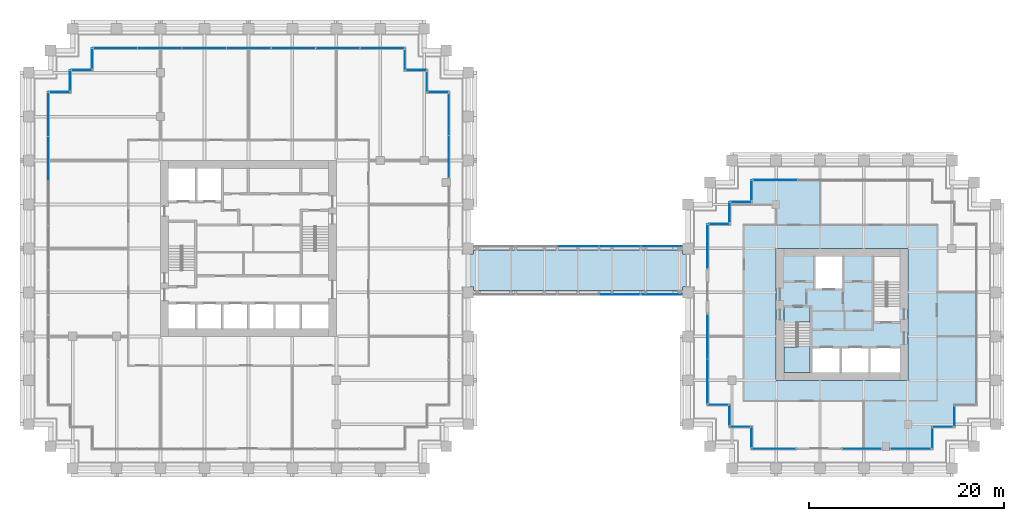
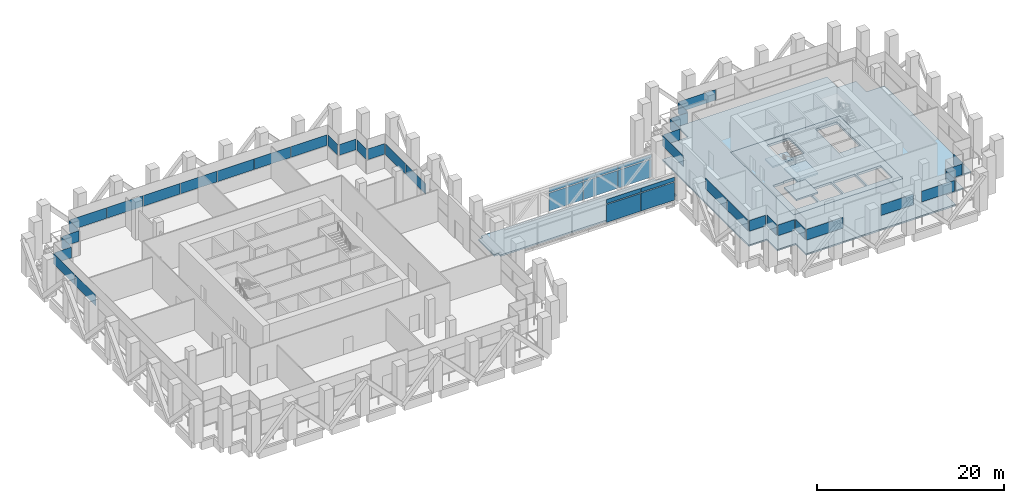
# One storey, part 35 of 44: 47 plates, 6 slabs, 31 elements without a shape of their own.
"""IFC4 building model written with IfcOpenShell, lengths in metres."""

from ifc_helpers import new_model, si_unit, direction, frame, origin, origin_2d, place, context, subcontext, project, spatial, polyline, rectangle, outline, extrude, material, layer, layer_set, type_object, element, aggregate, save


model = new_model("IFC4")

# Units and contexts
model_context = context("Model", 3, precision=1e-05, world=origin(), true_north=direction((0.0, 1.0)))
body_context = subcontext(model_context, "Body", "Model", "MODEL_VIEW")
ifc_project = project(units=[si_unit("LENGTHUNIT", "METRE"), si_unit("AREAUNIT", "SQUARE_METRE"), si_unit("VOLUMEUNIT", "CUBIC_METRE"), si_unit("PLANEANGLEUNIT", "RADIAN"), si_unit("MASSUNIT", "GRAM", prefix="KILO")], contexts=[model_context])

# Site, building, storey
site_placement = place(None, origin())
site = spatial("IfcSite", under=ifc_project, at=site_placement, CompositionType="ELEMENT")
building_placement = place(site_placement, origin())
building = spatial("IfcBuilding", under=site, at=building_placement, Name="Altepetl Exchange Towers", CompositionType="ELEMENT")
storey_placement = place(building_placement, frame((0.0, 0.0, 87.0)))
storey = spatial("IfcBuildingStorey", under=building, at=storey_placement, Name="L21 Refuge", CompositionType="ELEMENT", Elevation=87.0)

# Slabs
ifc_material_1 = material(Name="Concrete C40/50", Category="concrete")
ifc_layer_1 = layer(ifc_material_1, 0.199951171875)
ifc_layer_set_1 = layer_set([ifc_layer_1], Name="Concrete C40/50")
slab_type_1 = type_object("IfcSlabType", Name="Bridge deck slab 200", PredefinedType="FLOOR", material=ifc_layer_set_1)
slab_1_placement = place(storey_placement, frame((0.0, 0.0, -0.199951171875)))
element("IfcSlab", 1, at=slab_1_placement, inside=storey, type_object=slab_type_1, Name="slab:X:L21:deck0", PredefinedType="FLOOR", context=body_context, shape_type="SweptSolid", body=[
    extrude(outline(polyline([(93.949951171875, 45.550048828125), (94.5, 45.550048828125), (94.5, 48.949951171875), (93.949951171875, 48.949951171875), (93.949951171875, 49.322021484375), (72.550048828125, 49.322021484375), (72.550048828125, 48.949951171875), (72.0, 48.949951171875), (72.0, 45.550048828125), (72.550048828125, 45.550048828125), (72.550048828125, 45.177978515625), (93.949951171875, 45.177978515625), (93.949951171875, 45.550048828125)])), origin(), (0.0, 0.0, 1.0), 0.199951171875),
])
ifc_layer_2 = layer(ifc_material_1, 0.199951171875)
ifc_layer_set_2 = layer_set([ifc_layer_2], Name="Concrete C40/50")
slab_type_2 = type_object("IfcSlabType", Name="Composite floor slab 200", PredefinedType="FLOOR", material=ifc_layer_set_2)
slab_2_placement = place(storey_placement, frame((0.0, 0.0, -0.199951171875)))
element("IfcSlab", 2, at=slab_2_placement, inside=storey, type_object=slab_type_2, Name="slab:B:L21:strip0", PredefinedType="FLOOR", context=body_context, shape_type="SweptSolid", body=[
    extrude(outline(polyline([(98.75, 54.25), (98.75, 52.0), (96.5, 52.0), (96.5, 33.5), (98.75, 33.5), (98.75, 31.25), (101.0, 31.25), (101.0, 29.0), (119.5, 29.0), (119.5, 31.25), (121.75, 31.25), (121.75, 33.5), (124.0, 33.5), (124.0, 52.0), (121.75, 52.0), (121.75, 54.25), (119.5, 54.25), (119.5, 56.5), (101.0, 56.5), (101.0, 54.25), (98.75, 54.25)]), holes=[polyline([(117.0, 49.5), (117.0, 36.0), (103.5, 36.0), (103.5, 49.5), (117.0, 49.5)])]), origin(), (0.0, 0.0, 1.0), 0.199951171875),
])
ifc_layer_3 = layer(ifc_material_1, 0.300048828125)
ifc_layer_set_3 = layer_set([ifc_layer_3], Name="Concrete C40/50")
slab_type_3 = type_object("IfcSlabType", Name="Core floor slab 300", PredefinedType="FLOOR", material=ifc_layer_set_3)
slab_3_placement = place(storey_placement, frame((0.0, 0.0, -0.300048828125)))
element("IfcSlab", 3, at=slab_3_placement, inside=storey, type_object=slab_type_3, Name="slab:B:L21:core0", PredefinedType="FLOOR", context=body_context, shape_type="SweptSolid", body=[
    extrude(outline(polyline([(103.5, 36.0), (117.0, 36.0), (117.0, 49.5), (103.5, 49.5), (103.5, 36.0)]), holes=[polyline([(107.199951171875, 36.800048828125), (107.199951171875, 39.300048828125), (110.032958984375, 39.300048828125), (110.032958984375, 36.800048828125), (107.199951171875, 36.800048828125)]), polyline([(110.23291015625, 39.300048828125), (112.967041015625, 39.300048828125), (112.967041015625, 36.800048828125), (110.23291015625, 36.800048828125), (110.23291015625, 39.300048828125)]), polyline([(113.1669921875, 39.300048828125), (116.199951171875, 39.300048828125), (116.199951171875, 36.800048828125), (113.1669921875, 36.800048828125), (113.1669921875, 39.300048828125)]), polyline([(107.0, 36.800048828125), (104.300048828125, 36.800048828125), (104.300048828125, 41.85009765625), (105.60009765625, 41.85009765625), (105.60009765625, 41.948974609375), (107.0, 41.948974609375), (107.0, 36.800048828125)]), polyline([(116.199951171875, 48.699951171875), (116.199951171875, 43.64990234375), (114.89990234375, 43.64990234375), (114.89990234375, 43.551025390625), (113.5, 43.551025390625), (113.5, 48.699951171875), (116.199951171875, 48.699951171875)]), polyline([(107.532958984375, 48.699951171875), (110.26708984375, 48.699951171875), (110.26708984375, 45.39990234375), (107.532958984375, 45.39990234375), (107.532958984375, 48.699951171875)])]), origin(), (0.0, 0.0, 1.0), 0.300048828125),
])

# Curtain wall, plates
ifc_material_2 = material(Name="Aluminium 6063-T6 glazing", Category="aluminium")
curtain_wall_type_1 = type_object("IfcCurtainWallType", Name="Bridge enclosure system", PredefinedType="NOTDEFINED", material=ifc_material_2)
curtain_wall_1_placement = place(storey_placement, origin())
curtain_wall_1 = element("IfcCurtainWall", 4, at=curtain_wall_1_placement, inside=storey, type_object=curtain_wall_type_1, Name="CW6 run", PredefinedType="NOTDEFINED")
ifc_material_3 = material(Name="Glass 6-16-6 low emissivity", Category="glass")
ifc_layer_4 = layer(ifc_material_3, 0.028076171875)
ifc_layer_set_4 = layer_set([ifc_layer_4], Name="Glass 6-16-6 low emissivity")
plate_type_1 = type_object("IfcPlateType", Name="Glass panel 28 double glazed", PredefinedType="CURTAIN_PANEL", material=ifc_layer_set_4)
plate_1_placement = place(storey_placement, frame((87.510009765625, 44.784912109375, 0.0)))
plate_1 = element("IfcPlate", 5, at=plate_1_placement, type_object=plate_type_1, Name="GP1 panel", PredefinedType="CURTAIN_PANEL", context=body_context, shape_type="SweptSolid", body=[
    extrude(rectangle(XDim=4.199951171875, YDim=0.028076171875, at=origin_2d()), origin(), (0.0, 0.0, 1.0), 2.340087890625),
])
plate_2_placement = place(storey_placement, frame((87.510009765625, 44.784912109375, 2.4599609375)))
plate_2 = element("IfcPlate", 6, at=plate_2_placement, type_object=plate_type_1, Name="GP1 panel", PredefinedType="CURTAIN_PANEL", context=body_context, shape_type="SweptSolid", body=[
    extrude(rectangle(XDim=4.199951171875, YDim=0.028076171875, at=origin_2d()), origin(), (0.0, 0.0, 1.0), 0.5400390625),
])
plate_3_placement = place(storey_placement, frame((91.7548828125, 44.784912109375, 0.0)))
plate_3 = element("IfcPlate", 7, at=plate_3_placement, type_object=plate_type_1, Name="GP1 panel", PredefinedType="CURTAIN_PANEL", context=body_context, shape_type="SweptSolid", body=[
    extrude(rectangle(XDim=4.169921875, YDim=0.028076171875, at=origin_2d()), origin(), (0.0, 0.0, 1.0), 2.340087890625),
])
plate_4_placement = place(storey_placement, frame((91.7548828125, 44.784912109375, 2.4599609375)))
plate_4 = element("IfcPlate", 8, at=plate_4_placement, type_object=plate_type_1, Name="GP1 panel", PredefinedType="CURTAIN_PANEL", context=body_context, shape_type="SweptSolid", body=[
    extrude(rectangle(XDim=4.169921875, YDim=0.028076171875, at=origin_2d()), origin(), (0.0, 0.0, 1.0), 0.5400390625),
])
aggregate(curtain_wall_1, [plate_1, plate_2, plate_3, plate_4])

curtain_wall_2_placement = place(storey_placement, origin())
curtain_wall_2 = element("IfcCurtainWall", 9, at=curtain_wall_2_placement, inside=storey, type_object=curtain_wall_type_1, Name="CW6 run", PredefinedType="NOTDEFINED")
plate_5_placement = place(storey_placement, frame((83.25, 49.715087890625, 0.0)))
plate_5 = element("IfcPlate", 10, at=plate_5_placement, type_object=plate_type_1, Name="GP1 panel", PredefinedType="CURTAIN_PANEL", context=body_context, shape_type="SweptSolid", body=[
    extrude(rectangle(XDim=4.199951171875, YDim=0.028076171875, at=origin_2d()), origin(), (0.0, 0.0, 1.0), 2.340087890625),
])
plate_6_placement = place(storey_placement, frame((83.25, 49.715087890625, 2.4599609375)))
plate_6 = element("IfcPlate", 11, at=plate_6_placement, type_object=plate_type_1, Name="GP1 panel", PredefinedType="CURTAIN_PANEL", context=body_context, shape_type="SweptSolid", body=[
    extrude(rectangle(XDim=4.199951171875, YDim=0.028076171875, at=origin_2d()), origin(), (0.0, 0.0, 1.0), 0.5400390625),
])
plate_7_placement = place(storey_placement, frame((87.510009765625, 49.715087890625, 0.0)))
plate_7 = element("IfcPlate", 12, at=plate_7_placement, type_object=plate_type_1, Name="GP1 panel", PredefinedType="CURTAIN_PANEL", context=body_context, shape_type="SweptSolid", body=[
    extrude(rectangle(XDim=4.199951171875, YDim=0.028076171875, at=origin_2d()), origin(), (0.0, 0.0, 1.0), 2.340087890625),
])
plate_8_placement = place(storey_placement, frame((87.510009765625, 49.715087890625, 2.4599609375)))
plate_8 = element("IfcPlate", 13, at=plate_8_placement, type_object=plate_type_1, Name="GP1 panel", PredefinedType="CURTAIN_PANEL", context=body_context, shape_type="SweptSolid", body=[
    extrude(rectangle(XDim=4.199951171875, YDim=0.028076171875, at=origin_2d()), origin(), (0.0, 0.0, 1.0), 0.5400390625),
])
plate_9_placement = place(storey_placement, frame((91.7548828125, 49.715087890625, 0.0)))
plate_9 = element("IfcPlate", 14, at=plate_9_placement, type_object=plate_type_1, Name="GP1 panel", PredefinedType="CURTAIN_PANEL", context=body_context, shape_type="SweptSolid", body=[
    extrude(rectangle(XDim=4.169921875, YDim=0.028076171875, at=origin_2d()), origin(), (0.0, 0.0, 1.0), 2.340087890625),
])
plate_10_placement = place(storey_placement, frame((91.7548828125, 49.715087890625, 2.4599609375)))
plate_10 = element("IfcPlate", 15, at=plate_10_placement, type_object=plate_type_1, Name="GP1 panel", PredefinedType="CURTAIN_PANEL", context=body_context, shape_type="SweptSolid", body=[
    extrude(rectangle(XDim=4.169921875, YDim=0.028076171875, at=origin_2d()), origin(), (0.0, 0.0, 1.0), 0.5400390625),
])
aggregate(curtain_wall_2, [plate_5, plate_6, plate_7, plate_8, plate_9, plate_10])

# Curtain wall, plate
curtain_wall_type_2 = type_object("IfcCurtainWallType", Name="Refuge slit glazing system", PredefinedType="NOTDEFINED", material=ifc_material_2)
curtain_wall_3_placement = place(storey_placement, origin())
curtain_wall_3 = element("IfcCurtainWall", 16, at=curtain_wall_3_placement, inside=storey, type_object=curtain_wall_type_2, Name="CW3 run", PredefinedType="NOTDEFINED")
ifc_material_4 = material(Name="Glass 8-20-8 solar control", Category="glass")
ifc_layer_5 = layer(ifc_material_4, 0.035888671875)
ifc_layer_set_5 = layer_set([ifc_layer_5], Name="Glass 8-20-8 solar control")
plate_type_2 = type_object("IfcPlateType", Name="Glass panel 36 double glazed", PredefinedType="CURTAIN_PANEL", material=ifc_layer_set_5)
plate_11_placement = place(storey_placement, frame((30.175048828125, 65.5, 1.800048828125), z_axis=(0.0, 0.0, 1.0), x_axis=(-1.0, 0.0, 0.0)))
plate_11 = element("IfcPlate", 17, at=plate_11_placement, type_object=plate_type_2, Name="GP2 panel", PredefinedType="CURTAIN_PANEL", context=body_context, shape_type="SweptSolid", body=[
    extrude(rectangle(XDim=2.030029296875, YDim=0.035888671875, at=origin_2d()), origin(), (0.0, 0.0, 1.0), 1.39990234375),
])
aggregate(curtain_wall_3, [plate_11])

# Curtain wall, plates
curtain_wall_4_placement = place(storey_placement, origin())
curtain_wall_4 = element("IfcCurtainWall", 18, at=curtain_wall_4_placement, inside=storey, type_object=curtain_wall_type_2, Name="CW3 run", PredefinedType="NOTDEFINED")
plate_12_placement = place(storey_placement, frame((29.0, 63.20654296875, 1.800048828125), z_axis=(0.0, 0.0, 1.0), x_axis=(0.0, -1.0, 0.0)))
plate_12 = element("IfcPlate", 19, at=plate_12_placement, type_object=plate_type_2, Name="GP2 panel", PredefinedType="CURTAIN_PANEL", context=body_context, shape_type="SweptSolid", body=[
    extrude(rectangle(XDim=4.467041015625, YDim=0.035888671875, at=origin_2d()), origin(), (0.0, 0.0, 1.0), 1.39990234375),
])
plate_13_placement = place(storey_placement, frame((29.0, 58.664306640625, 1.800048828125), z_axis=(0.0, 0.0, 1.0), x_axis=(0.0, -1.0, 0.0)))
plate_13 = element("IfcPlate", 20, at=plate_13_placement, type_object=plate_type_2, Name="GP2 panel", PredefinedType="CURTAIN_PANEL", context=body_context, shape_type="SweptSolid", body=[
    extrude(rectangle(XDim=4.4970703125, YDim=0.035888671875, at=origin_2d()), origin(), (0.0, 0.0, 1.0), 1.39990234375),
])
aggregate(curtain_wall_4, [plate_12, plate_13])

curtain_wall_5_placement = place(storey_placement, origin())
curtain_wall_5 = element("IfcCurtainWall", 21, at=curtain_wall_5_placement, inside=storey, type_object=curtain_wall_type_2, Name="CW3 run", PredefinedType="NOTDEFINED")
plate_14_placement = place(storey_placement, frame((70.0, 58.88623046875, 1.800048828125), z_axis=(0.0, 0.0, 1.0), x_axis=(0.0, 1.0, 0.0)))
plate_14 = element("IfcPlate", 22, at=plate_14_placement, type_object=plate_type_2, Name="GP2 panel", PredefinedType="CURTAIN_PANEL", context=body_context, shape_type="SweptSolid", body=[
    extrude(rectangle(XDim=4.262451171875, YDim=0.035888671875, at=origin_2d()), origin(), (0.0, 0.0, 1.0), 1.39990234375),
])
plate_15_placement = place(storey_placement, frame((70.0, 63.208740234375, 1.800048828125), z_axis=(0.0, 0.0, 1.0), x_axis=(0.0, 1.0, 0.0)))
plate_15 = element("IfcPlate", 23, at=plate_15_placement, type_object=plate_type_2, Name="GP2 panel", PredefinedType="CURTAIN_PANEL", context=body_context, shape_type="SweptSolid", body=[
    extrude(rectangle(XDim=4.262451171875, YDim=0.035888671875, at=origin_2d()), origin(), (0.0, 0.0, 1.0), 1.39990234375),
])
aggregate(curtain_wall_5, [plate_14, plate_15])

# Curtain wall, plate
curtain_wall_6_placement = place(storey_placement, origin())
curtain_wall_6 = element("IfcCurtainWall", 24, at=curtain_wall_6_placement, inside=storey, type_object=curtain_wall_type_2, Name="CW3 run", PredefinedType="NOTDEFINED")
plate_16_placement = place(storey_placement, frame((68.925048828125, 65.5, 1.800048828125), z_axis=(0.0, 0.0, 1.0), x_axis=(-1.0, 0.0, 0.0)))
plate_16 = element("IfcPlate", 25, at=plate_16_placement, type_object=plate_type_2, Name="GP2 panel", PredefinedType="CURTAIN_PANEL", context=body_context, shape_type="SweptSolid", body=[
    extrude(rectangle(XDim=2.030029296875, YDim=0.035888671875, at=origin_2d()), origin(), (0.0, 0.0, 1.0), 1.39990234375),
])
aggregate(curtain_wall_6, [plate_16])

curtain_wall_7_placement = place(storey_placement, origin())
curtain_wall_7 = element("IfcCurtainWall", 26, at=curtain_wall_7_placement, inside=storey, type_object=curtain_wall_type_2, Name="CW3 run", PredefinedType="NOTDEFINED")
plate_17_placement = place(storey_placement, frame((67.75, 66.574951171875, 1.800048828125), z_axis=(0.0, 0.0, 1.0), x_axis=(0.0, 1.0, 0.0)))
plate_17 = element("IfcPlate", 27, at=plate_17_placement, type_object=plate_type_2, Name="GP2 panel", PredefinedType="CURTAIN_PANEL", context=body_context, shape_type="SweptSolid", body=[
    extrude(rectangle(XDim=2.030029296875, YDim=0.035888671875, at=origin_2d()), origin(), (0.0, 0.0, 1.0), 1.39990234375),
])
aggregate(curtain_wall_7, [plate_17])

curtain_wall_8_placement = place(storey_placement, origin())
curtain_wall_8 = element("IfcCurtainWall", 28, at=curtain_wall_8_placement, inside=storey, type_object=curtain_wall_type_2, Name="CW3 run", PredefinedType="NOTDEFINED")
plate_18_placement = place(storey_placement, frame((66.675048828125, 67.75, 1.800048828125), z_axis=(0.0, 0.0, 1.0), x_axis=(-1.0, 0.0, 0.0)))
plate_18 = element("IfcPlate", 29, at=plate_18_placement, type_object=plate_type_2, Name="GP2 panel", PredefinedType="CURTAIN_PANEL", context=body_context, shape_type="SweptSolid", body=[
    extrude(rectangle(XDim=2.030029296875, YDim=0.035888671875, at=origin_2d()), origin(), (0.0, 0.0, 1.0), 1.39990234375),
])
aggregate(curtain_wall_8, [plate_18])

curtain_wall_9_placement = place(storey_placement, origin())
curtain_wall_9 = element("IfcCurtainWall", 30, at=curtain_wall_9_placement, inside=storey, type_object=curtain_wall_type_2, Name="CW3 run", PredefinedType="NOTDEFINED")
plate_19_placement = place(storey_placement, frame((65.5, 68.824951171875, 1.800048828125), z_axis=(0.0, 0.0, 1.0), x_axis=(0.0, 1.0, 0.0)))
plate_19 = element("IfcPlate", 31, at=plate_19_placement, type_object=plate_type_2, Name="GP2 panel", PredefinedType="CURTAIN_PANEL", context=body_context, shape_type="SweptSolid", body=[
    extrude(rectangle(XDim=2.030029296875, YDim=0.035888671875, at=origin_2d()), origin(), (0.0, 0.0, 1.0), 1.39990234375),
])
aggregate(curtain_wall_9, [plate_19])

# Curtain wall, plates
curtain_wall_10_placement = place(storey_placement, origin())
curtain_wall_10 = element("IfcCurtainWall", 32, at=curtain_wall_10_placement, inside=storey, type_object=curtain_wall_type_2, Name="CW3 run", PredefinedType="NOTDEFINED")
plate_20_placement = place(storey_placement, frame((63.20654296875, 70.0, 1.800048828125), z_axis=(0.0, 0.0, 1.0), x_axis=(-1.0, 0.0, 0.0)))
plate_20 = element("IfcPlate", 33, at=plate_20_placement, type_object=plate_type_2, Name="GP2 panel", PredefinedType="CURTAIN_PANEL", context=body_context, shape_type="SweptSolid", body=[
    extrude(rectangle(XDim=4.467041015625, YDim=0.035888671875, at=origin_2d()), origin(), (0.0, 0.0, 1.0), 1.39990234375),
])
plate_21_placement = place(storey_placement, frame((58.664306640625, 70.0, 1.800048828125), z_axis=(0.0, 0.0, 1.0), x_axis=(-1.0, 0.0, 0.0)))
plate_21 = element("IfcPlate", 34, at=plate_21_placement, type_object=plate_type_2, Name="GP2 panel", PredefinedType="CURTAIN_PANEL", context=body_context, shape_type="SweptSolid", body=[
    extrude(rectangle(XDim=4.4970703125, YDim=0.035888671875, at=origin_2d()), origin(), (0.0, 0.0, 1.0), 1.39990234375),
])
plate_22_placement = place(storey_placement, frame((54.107177734375, 70.0, 1.800048828125), z_axis=(0.0, 0.0, 1.0), x_axis=(-1.0, 0.0, 0.0)))
plate_22 = element("IfcPlate", 35, at=plate_22_placement, type_object=plate_type_2, Name="GP2 panel", PredefinedType="CURTAIN_PANEL", context=body_context, shape_type="SweptSolid", body=[
    extrude(rectangle(XDim=4.4970703125, YDim=0.035888671875, at=origin_2d()), origin(), (0.0, 0.0, 1.0), 1.39990234375),
])
plate_23_placement = place(storey_placement, frame((49.550048828125, 70.0, 1.800048828125), z_axis=(0.0, 0.0, 1.0), x_axis=(-1.0, 0.0, 0.0)))
plate_23 = element("IfcPlate", 36, at=plate_23_placement, type_object=plate_type_2, Name="GP2 panel", PredefinedType="CURTAIN_PANEL", context=body_context, shape_type="SweptSolid", body=[
    extrude(rectangle(XDim=4.4970703125, YDim=0.035888671875, at=origin_2d()), origin(), (0.0, 0.0, 1.0), 1.39990234375),
])
plate_24_placement = place(storey_placement, frame((44.992919921875, 70.0, 1.800048828125), z_axis=(0.0, 0.0, 1.0), x_axis=(-1.0, 0.0, 0.0)))
plate_24 = element("IfcPlate", 37, at=plate_24_placement, type_object=plate_type_2, Name="GP2 panel", PredefinedType="CURTAIN_PANEL", context=body_context, shape_type="SweptSolid", body=[
    extrude(rectangle(XDim=4.4970703125, YDim=0.035888671875, at=origin_2d()), origin(), (0.0, 0.0, 1.0), 1.39990234375),
])
plate_25_placement = place(storey_placement, frame((40.435791015625, 70.0, 1.800048828125), z_axis=(0.0, 0.0, 1.0), x_axis=(-1.0, 0.0, 0.0)))
plate_25 = element("IfcPlate", 38, at=plate_25_placement, type_object=plate_type_2, Name="GP2 panel", PredefinedType="CURTAIN_PANEL", context=body_context, shape_type="SweptSolid", body=[
    extrude(rectangle(XDim=4.4970703125, YDim=0.035888671875, at=origin_2d()), origin(), (0.0, 0.0, 1.0), 1.39990234375),
])
plate_26_placement = place(storey_placement, frame((35.8935546875, 70.0, 1.800048828125), z_axis=(0.0, 0.0, 1.0), x_axis=(-1.0, 0.0, 0.0)))
plate_26 = element("IfcPlate", 39, at=plate_26_placement, type_object=plate_type_2, Name="GP2 panel", PredefinedType="CURTAIN_PANEL", context=body_context, shape_type="SweptSolid", body=[
    extrude(rectangle(XDim=4.467041015625, YDim=0.035888671875, at=origin_2d()), origin(), (0.0, 0.0, 1.0), 1.39990234375),
])
aggregate(curtain_wall_10, [plate_20, plate_21, plate_22, plate_23, plate_24, plate_25, plate_26])

# Curtain wall, plate
curtain_wall_11_placement = place(storey_placement, origin())
curtain_wall_11 = element("IfcCurtainWall", 40, at=curtain_wall_11_placement, inside=storey, type_object=curtain_wall_type_2, Name="CW3 run", PredefinedType="NOTDEFINED")
plate_27_placement = place(storey_placement, frame((33.5, 68.925048828125, 1.800048828125), z_axis=(0.0, 0.0, 1.0), x_axis=(0.0, -1.0, 0.0)))
plate_27 = element("IfcPlate", 41, at=plate_27_placement, type_object=plate_type_2, Name="GP2 panel", PredefinedType="CURTAIN_PANEL", context=body_context, shape_type="SweptSolid", body=[
    extrude(rectangle(XDim=2.030029296875, YDim=0.035888671875, at=origin_2d()), origin(), (0.0, 0.0, 1.0), 1.39990234375),
])
aggregate(curtain_wall_11, [plate_27])

curtain_wall_12_placement = place(storey_placement, origin())
curtain_wall_12 = element("IfcCurtainWall", 42, at=curtain_wall_12_placement, inside=storey, type_object=curtain_wall_type_2, Name="CW3 run", PredefinedType="NOTDEFINED")
plate_28_placement = place(storey_placement, frame((32.425048828125, 67.75, 1.800048828125), z_axis=(0.0, 0.0, 1.0), x_axis=(-1.0, 0.0, 0.0)))
plate_28 = element("IfcPlate", 43, at=plate_28_placement, type_object=plate_type_2, Name="GP2 panel", PredefinedType="CURTAIN_PANEL", context=body_context, shape_type="SweptSolid", body=[
    extrude(rectangle(XDim=2.030029296875, YDim=0.035888671875, at=origin_2d()), origin(), (0.0, 0.0, 1.0), 1.39990234375),
])
aggregate(curtain_wall_12, [plate_28])

curtain_wall_13_placement = place(storey_placement, origin())
curtain_wall_13 = element("IfcCurtainWall", 44, at=curtain_wall_13_placement, inside=storey, type_object=curtain_wall_type_2, Name="CW3 run", PredefinedType="NOTDEFINED")
plate_29_placement = place(storey_placement, frame((31.25, 66.675048828125, 1.800048828125), z_axis=(0.0, 0.0, 1.0), x_axis=(0.0, -1.0, 0.0)))
plate_29 = element("IfcPlate", 45, at=plate_29_placement, type_object=plate_type_2, Name="GP2 panel", PredefinedType="CURTAIN_PANEL", context=body_context, shape_type="SweptSolid", body=[
    extrude(rectangle(XDim=2.030029296875, YDim=0.035888671875, at=origin_2d()), origin(), (0.0, 0.0, 1.0), 1.39990234375),
])
aggregate(curtain_wall_13, [plate_29])

curtain_wall_14_placement = place(storey_placement, origin())
curtain_wall_14 = element("IfcCurtainWall", 46, at=curtain_wall_14_placement, inside=storey, type_object=curtain_wall_type_2, Name="CW3 run", PredefinedType="NOTDEFINED")
plate_30_placement = place(storey_placement, frame((97.675048828125, 52.0, 1.800048828125), z_axis=(0.0, 0.0, 1.0), x_axis=(-1.0, 0.0, 0.0)))
plate_30 = element("IfcPlate", 47, at=plate_30_placement, type_object=plate_type_2, Name="GP2 panel", PredefinedType="CURTAIN_PANEL", context=body_context, shape_type="SweptSolid", body=[
    extrude(rectangle(XDim=2.030029296875, YDim=0.035888671875, at=origin_2d()), origin(), (0.0, 0.0, 1.0), 1.39990234375),
])
aggregate(curtain_wall_14, [plate_30])

curtain_wall_15_placement = place(storey_placement, origin())
curtain_wall_15 = element("IfcCurtainWall", 48, at=curtain_wall_15_placement, inside=storey, type_object=curtain_wall_type_2, Name="CW3 run", PredefinedType="NOTDEFINED")
plate_31_placement = place(storey_placement, frame((96.5, 49.699951171875, 1.800048828125), z_axis=(0.0, 0.0, 1.0), x_axis=(0.0, -1.0, 0.0)))
plate_31 = element("IfcPlate", 49, at=plate_31_placement, type_object=plate_type_2, Name="GP2 panel", PredefinedType="CURTAIN_PANEL", context=body_context, shape_type="SweptSolid", body=[
    extrude(rectangle(XDim=4.47998046875, YDim=0.035888671875, at=origin_2d()), origin(), (0.0, 0.0, 1.0), 1.39990234375),
])
aggregate(curtain_wall_15, [plate_31])

# Curtain wall, plates
curtain_wall_16_placement = place(storey_placement, origin())
curtain_wall_16 = element("IfcCurtainWall", 50, at=curtain_wall_16_placement, inside=storey, type_object=curtain_wall_type_2, Name="CW3 run", PredefinedType="NOTDEFINED")
plate_32_placement = place(storey_placement, frame((96.5, 40.485107421875, 1.800048828125), z_axis=(0.0, 0.0, 1.0), x_axis=(0.0, -1.0, 0.0)))
plate_32 = element("IfcPlate", 51, at=plate_32_placement, type_object=plate_type_2, Name="GP2 panel", PredefinedType="CURTAIN_PANEL", context=body_context, shape_type="SweptSolid", body=[
    extrude(rectangle(XDim=4.510009765625, YDim=0.035888671875, at=origin_2d()), origin(), (0.0, 0.0, 1.0), 1.39990234375),
])
plate_33_placement = place(storey_placement, frame((96.5, 35.9150390625, 1.800048828125), z_axis=(0.0, 0.0, 1.0), x_axis=(0.0, -1.0, 0.0)))
plate_33 = element("IfcPlate", 52, at=plate_33_placement, type_object=plate_type_2, Name="GP2 panel", PredefinedType="CURTAIN_PANEL", context=body_context, shape_type="SweptSolid", body=[
    extrude(rectangle(XDim=4.510009765625, YDim=0.035888671875, at=origin_2d()), origin(), (0.0, 0.0, 1.0), 1.39990234375),
])
aggregate(curtain_wall_16, [plate_32, plate_33])

# Curtain wall, plate
curtain_wall_17_placement = place(storey_placement, origin())
curtain_wall_17 = element("IfcCurtainWall", 53, at=curtain_wall_17_placement, inside=storey, type_object=curtain_wall_type_2, Name="CW3 run", PredefinedType="NOTDEFINED")
plate_34_placement = place(storey_placement, frame((97.574951171875, 33.5, 1.800048828125)))
plate_34 = element("IfcPlate", 54, at=plate_34_placement, type_object=plate_type_2, Name="GP2 panel", PredefinedType="CURTAIN_PANEL", context=body_context, shape_type="SweptSolid", body=[
    extrude(rectangle(XDim=2.030029296875, YDim=0.035888671875, at=origin_2d()), origin(), (0.0, 0.0, 1.0), 1.39990234375),
])
aggregate(curtain_wall_17, [plate_34])

curtain_wall_18_placement = place(storey_placement, origin())
curtain_wall_18 = element("IfcCurtainWall", 55, at=curtain_wall_18_placement, inside=storey, type_object=curtain_wall_type_2, Name="CW3 run", PredefinedType="NOTDEFINED")
plate_35_placement = place(storey_placement, frame((98.75, 32.425048828125, 1.800048828125), z_axis=(0.0, 0.0, 1.0), x_axis=(0.0, -1.0, 0.0)))
plate_35 = element("IfcPlate", 56, at=plate_35_placement, type_object=plate_type_2, Name="GP2 panel", PredefinedType="CURTAIN_PANEL", context=body_context, shape_type="SweptSolid", body=[
    extrude(rectangle(XDim=2.030029296875, YDim=0.035888671875, at=origin_2d()), origin(), (0.0, 0.0, 1.0), 1.39990234375),
])
aggregate(curtain_wall_18, [plate_35])

curtain_wall_19_placement = place(storey_placement, origin())
curtain_wall_19 = element("IfcCurtainWall", 57, at=curtain_wall_19_placement, inside=storey, type_object=curtain_wall_type_2, Name="CW3 run", PredefinedType="NOTDEFINED")
plate_36_placement = place(storey_placement, frame((99.824951171875, 31.25, 1.800048828125)))
plate_36 = element("IfcPlate", 58, at=plate_36_placement, type_object=plate_type_2, Name="GP2 panel", PredefinedType="CURTAIN_PANEL", context=body_context, shape_type="SweptSolid", body=[
    extrude(rectangle(XDim=2.030029296875, YDim=0.035888671875, at=origin_2d()), origin(), (0.0, 0.0, 1.0), 1.39990234375),
])
aggregate(curtain_wall_19, [plate_36])

curtain_wall_20_placement = place(storey_placement, origin())
curtain_wall_20 = element("IfcCurtainWall", 59, at=curtain_wall_20_placement, inside=storey, type_object=curtain_wall_type_2, Name="CW3 run", PredefinedType="NOTDEFINED")
plate_37_placement = place(storey_placement, frame((101.0, 30.175048828125, 1.800048828125), z_axis=(0.0, 0.0, 1.0), x_axis=(0.0, -1.0, 0.0)))
plate_37 = element("IfcPlate", 60, at=plate_37_placement, type_object=plate_type_2, Name="GP2 panel", PredefinedType="CURTAIN_PANEL", context=body_context, shape_type="SweptSolid", body=[
    extrude(rectangle(XDim=2.030029296875, YDim=0.035888671875, at=origin_2d()), origin(), (0.0, 0.0, 1.0), 1.39990234375),
])
aggregate(curtain_wall_20, [plate_37])

curtain_wall_21_placement = place(storey_placement, origin())
curtain_wall_21 = element("IfcCurtainWall", 61, at=curtain_wall_21_placement, inside=storey, type_object=curtain_wall_type_2, Name="CW3 run", PredefinedType="NOTDEFINED")
plate_38_placement = place(storey_placement, frame((103.300048828125, 29.0, 1.800048828125)))
plate_38 = element("IfcPlate", 62, at=plate_38_placement, type_object=plate_type_2, Name="GP2 panel", PredefinedType="CURTAIN_PANEL", context=body_context, shape_type="SweptSolid", body=[
    extrude(rectangle(XDim=4.47998046875, YDim=0.035888671875, at=origin_2d()), origin(), (0.0, 0.0, 1.0), 1.39990234375),
])
aggregate(curtain_wall_21, [plate_38])

curtain_wall_22_placement = place(storey_placement, origin())
curtain_wall_22 = element("IfcCurtainWall", 63, at=curtain_wall_22_placement, inside=storey, type_object=curtain_wall_type_2, Name="CW3 run", PredefinedType="NOTDEFINED")
plate_39_placement = place(storey_placement, frame((112.25244140625, 29.0, 1.800048828125)))
plate_39 = element("IfcPlate", 64, at=plate_39_placement, type_object=plate_type_2, Name="GP2 panel", PredefinedType="CURTAIN_PANEL", context=body_context, shape_type="SweptSolid", body=[
    extrude(rectangle(XDim=3.985107421875, YDim=0.035888671875, at=origin_2d()), origin(), (0.0, 0.0, 1.0), 1.39990234375),
])
aggregate(curtain_wall_22, [plate_39])

curtain_wall_23_placement = place(storey_placement, origin())
curtain_wall_23 = element("IfcCurtainWall", 65, at=curtain_wall_23_placement, inside=storey, type_object=curtain_wall_type_2, Name="CW3 run", PredefinedType="NOTDEFINED")
plate_40_placement = place(storey_placement, frame((117.297607421875, 29.0, 1.800048828125)))
plate_40 = element("IfcPlate", 66, at=plate_40_placement, type_object=plate_type_2, Name="GP2 panel", PredefinedType="CURTAIN_PANEL", context=body_context, shape_type="SweptSolid", body=[
    extrude(rectangle(XDim=4.0849609375, YDim=0.035888671875, at=origin_2d()), origin(), (0.0, 0.0, 1.0), 1.39990234375),
])
aggregate(curtain_wall_23, [plate_40])

curtain_wall_24_placement = place(storey_placement, origin())
curtain_wall_24 = element("IfcCurtainWall", 67, at=curtain_wall_24_placement, inside=storey, type_object=curtain_wall_type_2, Name="CW3 run", PredefinedType="NOTDEFINED")
plate_41_placement = place(storey_placement, frame((119.5, 30.074951171875, 1.800048828125), z_axis=(0.0, 0.0, 1.0), x_axis=(0.0, 1.0, 0.0)))
plate_41 = element("IfcPlate", 68, at=plate_41_placement, type_object=plate_type_2, Name="GP2 panel", PredefinedType="CURTAIN_PANEL", context=body_context, shape_type="SweptSolid", body=[
    extrude(rectangle(XDim=2.030029296875, YDim=0.035888671875, at=origin_2d()), origin(), (0.0, 0.0, 1.0), 1.39990234375),
])
aggregate(curtain_wall_24, [plate_41])

curtain_wall_25_placement = place(storey_placement, origin())
curtain_wall_25 = element("IfcCurtainWall", 69, at=curtain_wall_25_placement, inside=storey, type_object=curtain_wall_type_2, Name="CW3 run", PredefinedType="NOTDEFINED")
plate_42_placement = place(storey_placement, frame((120.574951171875, 31.25, 1.800048828125)))
plate_42 = element("IfcPlate", 70, at=plate_42_placement, type_object=plate_type_2, Name="GP2 panel", PredefinedType="CURTAIN_PANEL", context=body_context, shape_type="SweptSolid", body=[
    extrude(rectangle(XDim=2.030029296875, YDim=0.035888671875, at=origin_2d()), origin(), (0.0, 0.0, 1.0), 1.39990234375),
])
aggregate(curtain_wall_25, [plate_42])

curtain_wall_26_placement = place(storey_placement, origin())
curtain_wall_26 = element("IfcCurtainWall", 71, at=curtain_wall_26_placement, inside=storey, type_object=curtain_wall_type_2, Name="CW3 run", PredefinedType="NOTDEFINED")
plate_43_placement = place(storey_placement, frame((121.75, 32.324951171875, 1.800048828125), z_axis=(0.0, 0.0, 1.0), x_axis=(0.0, 1.0, 0.0)))
plate_43 = element("IfcPlate", 72, at=plate_43_placement, type_object=plate_type_2, Name="GP2 panel", PredefinedType="CURTAIN_PANEL", context=body_context, shape_type="SweptSolid", body=[
    extrude(rectangle(XDim=2.030029296875, YDim=0.035888671875, at=origin_2d()), origin(), (0.0, 0.0, 1.0), 1.39990234375),
])
aggregate(curtain_wall_26, [plate_43])

curtain_wall_27_placement = place(storey_placement, origin())
curtain_wall_27 = element("IfcCurtainWall", 73, at=curtain_wall_27_placement, inside=storey, type_object=curtain_wall_type_2, Name="CW3 run", PredefinedType="NOTDEFINED")
plate_44_placement = place(storey_placement, frame((103.4150390625, 56.5, 1.800048828125), z_axis=(0.0, 0.0, 1.0), x_axis=(-1.0, 0.0, 0.0)))
plate_44 = element("IfcPlate", 74, at=plate_44_placement, type_object=plate_type_2, Name="GP2 panel", PredefinedType="CURTAIN_PANEL", context=body_context, shape_type="SweptSolid", body=[
    extrude(rectangle(XDim=4.510009765625, YDim=0.035888671875, at=origin_2d()), origin(), (0.0, 0.0, 1.0), 1.39990234375),
])
aggregate(curtain_wall_27, [plate_44])

curtain_wall_28_placement = place(storey_placement, origin())
curtain_wall_28 = element("IfcCurtainWall", 75, at=curtain_wall_28_placement, inside=storey, type_object=curtain_wall_type_2, Name="CW3 run", PredefinedType="NOTDEFINED")
plate_45_placement = place(storey_placement, frame((101.0, 55.425048828125, 1.800048828125), z_axis=(0.0, 0.0, 1.0), x_axis=(0.0, -1.0, 0.0)))
plate_45 = element("IfcPlate", 76, at=plate_45_placement, type_object=plate_type_2, Name="GP2 panel", PredefinedType="CURTAIN_PANEL", context=body_context, shape_type="SweptSolid", body=[
    extrude(rectangle(XDim=2.030029296875, YDim=0.035888671875, at=origin_2d()), origin(), (0.0, 0.0, 1.0), 1.39990234375),
])
aggregate(curtain_wall_28, [plate_45])

curtain_wall_29_placement = place(storey_placement, origin())
curtain_wall_29 = element("IfcCurtainWall", 77, at=curtain_wall_29_placement, inside=storey, type_object=curtain_wall_type_2, Name="CW3 run", PredefinedType="NOTDEFINED")
plate_46_placement = place(storey_placement, frame((99.925048828125, 54.25, 1.800048828125), z_axis=(0.0, 0.0, 1.0), x_axis=(-1.0, 0.0, 0.0)))
plate_46 = element("IfcPlate", 78, at=plate_46_placement, type_object=plate_type_2, Name="GP2 panel", PredefinedType="CURTAIN_PANEL", context=body_context, shape_type="SweptSolid", body=[
    extrude(rectangle(XDim=2.030029296875, YDim=0.035888671875, at=origin_2d()), origin(), (0.0, 0.0, 1.0), 1.39990234375),
])
aggregate(curtain_wall_29, [plate_46])

curtain_wall_30_placement = place(storey_placement, origin())
curtain_wall_30 = element("IfcCurtainWall", 79, at=curtain_wall_30_placement, inside=storey, type_object=curtain_wall_type_2, Name="CW3 run", PredefinedType="NOTDEFINED")
plate_47_placement = place(storey_placement, frame((98.75, 53.175048828125, 1.800048828125), z_axis=(0.0, 0.0, 1.0), x_axis=(0.0, -1.0, 0.0)))
plate_47 = element("IfcPlate", 80, at=plate_47_placement, type_object=plate_type_2, Name="GP2 panel", PredefinedType="CURTAIN_PANEL", context=body_context, shape_type="SweptSolid", body=[
    extrude(rectangle(XDim=2.030029296875, YDim=0.035888671875, at=origin_2d()), origin(), (0.0, 0.0, 1.0), 1.39990234375),
])
aggregate(curtain_wall_30, [plate_47])

# Stair, slabs
stair_type = type_object("IfcStairType", Name="Exit stair 1300 flights dogleg", PredefinedType="HALF_TURN_STAIR", material=ifc_material_1)
stair_placement = place(storey_placement, origin())
stair = element("IfcStair", 81, at=stair_placement, inside=storey, type_object=stair_type, Name="Exit stair 1", PredefinedType="HALF_TURN_STAIR")
ifc_layer_6 = layer(ifc_material_1, 0.199951171875)
ifc_layer_set_6 = layer_set([ifc_layer_6], Name="Concrete C40/50")
slab_type_4 = type_object("IfcSlabType", Name="Stair landing 200 reinforced concrete", PredefinedType="LANDING", material=ifc_layer_set_6)
slab_4_placement = place(storey_placement, frame((0.0, 0.0, 1.050048828125)))
slab_4 = element("IfcSlab", 82, at=slab_4_placement, type_object=slab_type_4, Name="ST-B1c landing 1", PredefinedType="LANDING", context=body_context, shape_type="SweptSolid", body=[
    extrude(outline(polyline([(107.0, 36.800048828125), (104.300048828125, 36.800048828125), (104.300048828125, 39.429931640625), (104.300048828125, 39.4306640625), (105.60009765625, 39.4306640625), (105.60009765625, 39.429931640625), (105.699951171875, 39.429931640625), (105.699951171875, 39.530029296875), (107.0, 39.530029296875), (107.0, 39.429931640625), (107.0, 36.800048828125)])), origin(), (0.0, 0.0, 1.0), 0.199951171875),
])
slab_5_placement = place(storey_placement, frame((0.0, 0.0, 2.300048828125)))
slab_5 = element("IfcSlab", 83, at=slab_5_placement, type_object=slab_type_4, Name="ST-B1c landing 2", PredefinedType="LANDING", context=body_context, shape_type="SweptSolid", body=[
    extrude(outline(polyline([(105.60009765625, 41.85009765625), (104.300048828125, 41.85009765625), (104.300048828125, 41.949951171875), (104.300048828125, 43.5), (107.0, 43.5), (107.0, 41.949951171875), (107.0, 41.94921875), (105.699951171875, 41.94921875), (105.699951171875, 41.949951171875), (105.60009765625, 41.949951171875), (105.60009765625, 41.85009765625)])), origin(), (0.0, 0.0, 1.0), 0.199951171875),
])
slab_6_placement = place(storey_placement, frame((0.0, 0.0, 3.550048828125)))
slab_6 = element("IfcSlab", 84, at=slab_6_placement, type_object=slab_type_4, Name="ST-B1c landing 3", PredefinedType="LANDING", context=body_context, shape_type="SweptSolid", body=[
    extrude(outline(polyline([(107.0, 36.800048828125), (104.300048828125, 36.800048828125), (104.300048828125, 39.429931640625), (104.300048828125, 39.4306640625), (105.60009765625, 39.4306640625), (105.60009765625, 39.429931640625), (105.699951171875, 39.429931640625), (105.699951171875, 39.530029296875), (107.0, 39.530029296875), (107.0, 39.429931640625), (107.0, 36.800048828125)])), origin(), (0.0, 0.0, 1.0), 0.199951171875),
])
aggregate(stair, [slab_4, slab_5, slab_6])

save(model, "model.ifc")
